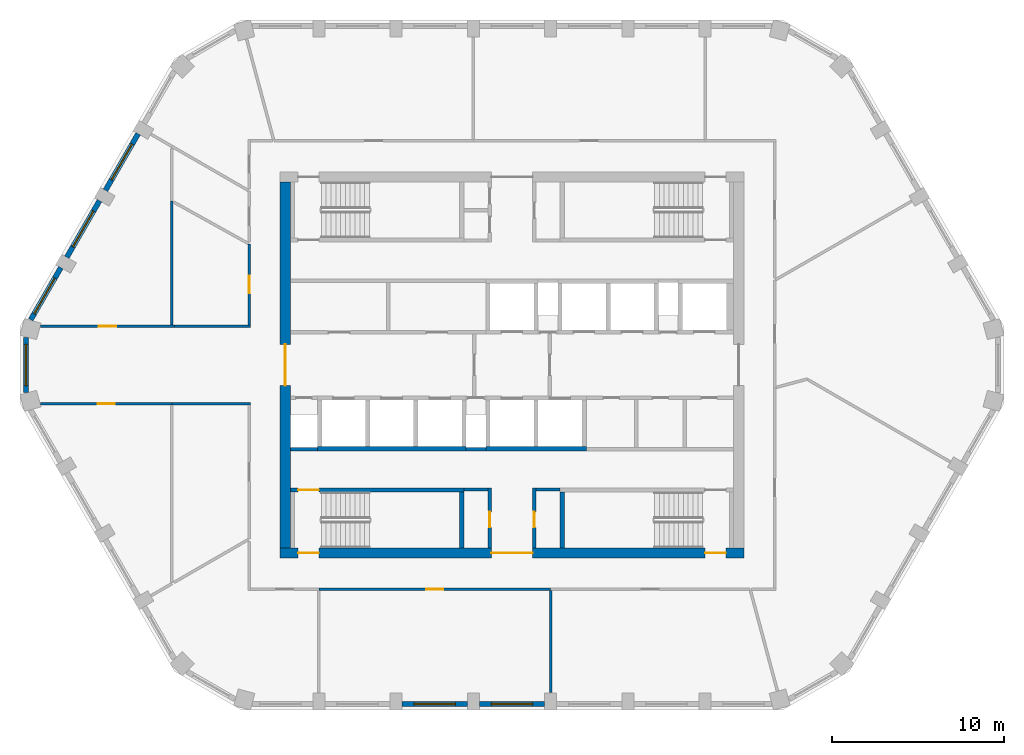
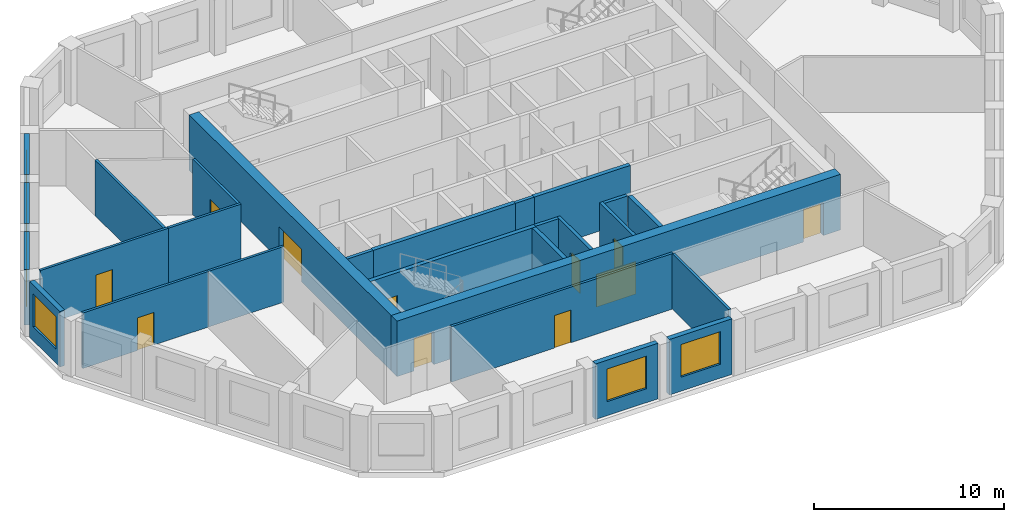
# One storey, part 2 of 7: 27 walls, 11 doors, 6 windows, 17 openings.
"""IFC4 building model written with IfcOpenShell, lengths in metres."""

from ifc_helpers import new_model, si_unit, direction, frame, frame_2d, origin, place, context, subcontext, project, spatial, polyline, rectangle, outline, extrude, material, layer, layer_set, type_object, element, fill, save


model = new_model("IFC4")

# Units and contexts
model_context = context("Model", 3, precision=1e-05, world=origin(), true_north=direction((0.0, 1.0)))
body_context = subcontext(model_context, "Body", "Model", "MODEL_VIEW")
ifc_project = project(units=[si_unit("LENGTHUNIT", "METRE"), si_unit("AREAUNIT", "SQUARE_METRE"), si_unit("VOLUMEUNIT", "CUBIC_METRE"), si_unit("PLANEANGLEUNIT", "RADIAN"), si_unit("MASSUNIT", "GRAM", prefix="KILO")], contexts=[model_context])

# Site, building, storey
site_placement = place(None, origin())
site = spatial("IfcSite", under=ifc_project, at=site_placement, CompositionType="ELEMENT")
building_placement = place(site_placement, origin())
building = spatial("IfcBuilding", under=site, at=building_placement, Name="Dhurran Vertical Campus", CompositionType="ELEMENT")
storey_placement = place(building_placement, frame((0.0, 0.0, 262.5)))
storey = spatial("IfcBuildingStorey", under=building, at=storey_placement, Name="L65", CompositionType="ELEMENT", Elevation=262.5)

# Wall, opening, window
ifc_material_1 = material(Name="Precast concrete C50/60", Category="concrete")
ifc_layer_1 = layer(ifc_material_1, 0.300048828125)
ifc_layer_set_1 = layer_set([ifc_layer_1], Name="Precast concrete C50/60")
wall_type_1 = type_object("IfcWallType", Name="Precast spandrel wall 300", PredefinedType="SOLIDWALL", material=ifc_layer_set_1)
wall_1_placement = place(storey_placement, frame((-6.3994140625, -19.738525390625, 0.0), z_axis=(0.0, 0.0, 1.0), x_axis=(1.0, 0.0, 0.0)))
wall_1 = element("IfcWall", 1, at=wall_1_placement, inside=storey, type_object=wall_type_1, Name="EW1 L65.02", PredefinedType="SOLIDWALL", context=body_context, shape_type="SweptSolid", body=[
    extrude(rectangle(XDim=3.798828125, YDim=0.300048828125, at=frame_2d((1.8994140625, 0.0))), origin(), (0.0, 0.0, 1.0), 3.574951171875),
])
opening_1_placement = place(wall_1_placement, frame((0.699462890625, 0.0, 0.89990234375)))
opening_1 = element("IfcOpeningElement", 2, at=opening_1_placement, cuts=wall_1, Name="Opening WT1", PredefinedType="OPENING", context=body_context, shape_type="SweptSolid", body=[
    extrude(rectangle(XDim=2.39990234375, YDim=2.10009765625, at=frame_2d((1.199951171875, 1.050048828125))), frame((0.0, 0.159912109375, 0.0), z_axis=(0.0, -1.0, 0.0), x_axis=(1.0, 0.0, 0.0)), (0.0, 0.0, 1.0), 0.320068359375),
])
ifc_material_2 = material(Name="Aluminium frame with solar-control glass", Category="aluminium")
window_type = type_object("IfcWindowType", Name="Punched window 2400 x 2100", PartitioningType="SINGLE_PANEL", PredefinedType="WINDOW", material=ifc_material_2)
window_1_placement = place(opening_1_placement, origin())
window_1 = element("IfcWindow", 3, at=window_1_placement, inside=storey, type_object=window_type, Name="WT1 L65.02", OverallHeight=2.10009765625, OverallWidth=2.39990234375, PartitioningType="SINGLE_PANEL", PredefinedType="WINDOW", context=body_context, shape_type="SweptSolid", body=[
    extrude(rectangle(XDim=2.39990234375, YDim=2.10009765625, at=frame_2d((1.199951171875, 1.050048828125))), frame((0.0, 0.030029296875, 0.0), z_axis=(0.0, -1.0, 0.0), x_axis=(1.0, 0.0, 0.0)), (0.0, 0.0, 1.0), 0.06005859375),
])
fill(opening_1, window_1)

wall_2_placement = place(storey_placement, frame((-1.8994140625, -19.738525390625, 0.0), z_axis=(0.0, 0.0, 1.0), x_axis=(1.0, 0.0, 0.0)))
wall_2 = element("IfcWall", 4, at=wall_2_placement, inside=storey, type_object=wall_type_1, Name="EW1 L65.03", PredefinedType="SOLIDWALL", context=body_context, shape_type="SweptSolid", body=[
    extrude(rectangle(XDim=3.798828125, YDim=0.300048828125, at=frame_2d((1.8994140625, 0.0))), origin(), (0.0, 0.0, 1.0), 3.574951171875),
])
opening_2_placement = place(wall_2_placement, frame((0.699462890625, 0.0, 0.89990234375)))
opening_2 = element("IfcOpeningElement", 5, at=opening_2_placement, cuts=wall_2, Name="Opening WT1", PredefinedType="OPENING", context=body_context, shape_type="SweptSolid", body=[
    extrude(rectangle(XDim=2.39990234375, YDim=2.10009765625, at=frame_2d((1.199951171875, 1.050048828125))), frame((0.0, 0.159912109375, 0.0), z_axis=(0.0, -1.0, 0.0), x_axis=(1.0, 0.0, 0.0)), (0.0, 0.0, 1.0), 0.320068359375),
])
window_2_placement = place(opening_2_placement, origin())
window_2 = element("IfcWindow", 6, at=window_2_placement, inside=storey, type_object=window_type, Name="WT1 L65.03", OverallHeight=2.10009765625, OverallWidth=2.39990234375, PartitioningType="SINGLE_PANEL", PredefinedType="WINDOW", context=body_context, shape_type="SweptSolid", body=[
    extrude(rectangle(XDim=2.39990234375, YDim=2.10009765625, at=frame_2d((1.199951171875, 1.050048828125))), frame((0.0, 0.030029296875, 0.0), z_axis=(0.0, -1.0, 0.0), x_axis=(1.0, 0.0, 0.0)), (0.0, 0.0, 1.0), 0.06005859375),
])
fill(opening_2, window_2)

wall_3_placement = place(storey_placement, frame((-21.769287109375, 13.462890625, 0.0), z_axis=(0.0, 0.0, 1.0), x_axis=(-0.499982058975, -0.866035761792, 0.0)))
wall_3 = element("IfcWall", 7, at=wall_3_placement, inside=storey, type_object=wall_type_1, Name="EW1 L65.27", PredefinedType="SOLIDWALL", context=body_context, shape_type="SweptSolid", body=[
    extrude(rectangle(XDim=3.799072265625, YDim=0.300048828125, at=frame_2d((1.8994140625, 0.0))), origin(), (0.0, 0.0, 1.0), 3.574951171875),
])
opening_3_placement = place(wall_3_placement, frame((0.699462890625, 0.0, 0.89990234375)))
opening_3 = element("IfcOpeningElement", 8, at=opening_3_placement, cuts=wall_3, Name="Opening WT1", PredefinedType="OPENING", context=body_context, shape_type="SweptSolid", body=[
    extrude(rectangle(XDim=2.39990234375, YDim=2.10009765625, at=frame_2d((1.199951171875, 1.050048828125))), frame((0.0, 0.159912109375, 0.0), z_axis=(0.0, -1.0, 0.0), x_axis=(1.0, 0.0, 0.0)), (0.0, 0.0, 1.0), 0.320068359375),
])
window_3_placement = place(opening_3_placement, origin())
window_3 = element("IfcWindow", 9, at=window_3_placement, inside=storey, type_object=window_type, Name="WT1 L65.27", OverallHeight=2.10009765625, OverallWidth=2.39990234375, PartitioningType="SINGLE_PANEL", PredefinedType="WINDOW", context=body_context, shape_type="SweptSolid", body=[
    extrude(rectangle(XDim=2.39990234375, YDim=2.10009765625, at=frame_2d((1.199951171875, 1.050048828125))), frame((0.0, 0.030029296875, 0.0), z_axis=(0.0, -1.0, 0.0), x_axis=(1.0, 0.0, 0.0)), (0.0, 0.0, 1.0), 0.06005859375),
])
fill(opening_3, window_3)

wall_4_placement = place(storey_placement, frame((-24.019287109375, 9.565673828125, 0.0), z_axis=(0.0, 0.0, 1.0), x_axis=(-0.499982058975, -0.866035761792, 0.0)))
wall_4 = element("IfcWall", 10, at=wall_4_placement, inside=storey, type_object=wall_type_1, Name="EW1 L65.28", PredefinedType="SOLIDWALL", context=body_context, shape_type="SweptSolid", body=[
    extrude(rectangle(XDim=3.799072265625, YDim=0.300048828125, at=frame_2d((1.8994140625, 0.0))), origin(), (0.0, 0.0, 1.0), 3.574951171875),
])
opening_4_placement = place(wall_4_placement, frame((0.699462890625, 0.0, 0.89990234375)))
opening_4 = element("IfcOpeningElement", 11, at=opening_4_placement, cuts=wall_4, Name="Opening WT1", PredefinedType="OPENING", context=body_context, shape_type="SweptSolid", body=[
    extrude(rectangle(XDim=2.39990234375, YDim=2.10009765625, at=frame_2d((1.199951171875, 1.050048828125))), frame((0.0, 0.159912109375, 0.0), z_axis=(0.0, -1.0, 0.0), x_axis=(1.0, 0.0, 0.0)), (0.0, 0.0, 1.0), 0.320068359375),
])
window_4_placement = place(opening_4_placement, origin())
window_4 = element("IfcWindow", 12, at=window_4_placement, inside=storey, type_object=window_type, Name="WT1 L65.28", OverallHeight=2.10009765625, OverallWidth=2.39990234375, PartitioningType="SINGLE_PANEL", PredefinedType="WINDOW", context=body_context, shape_type="SweptSolid", body=[
    extrude(rectangle(XDim=2.39990234375, YDim=2.10009765625, at=frame_2d((1.199951171875, 1.050048828125))), frame((0.0, 0.030029296875, 0.0), z_axis=(0.0, -1.0, 0.0), x_axis=(1.0, 0.0, 0.0)), (0.0, 0.0, 1.0), 0.06005859375),
])
fill(opening_4, window_4)

wall_5_placement = place(storey_placement, frame((-26.269287109375, 5.668701171875, 0.0), z_axis=(0.0, 0.0, 1.0), x_axis=(-0.499990325971, -0.866030989016, 0.0)))
wall_5 = element("IfcWall", 13, at=wall_5_placement, inside=storey, type_object=wall_type_1, Name="EW1 L65.29", PredefinedType="SOLIDWALL", context=body_context, shape_type="SweptSolid", body=[
    extrude(rectangle(XDim=3.49755859375, YDim=0.300048828125, at=frame_2d((1.748779296875, 0.0))), origin(), (0.0, 0.0, 1.0), 3.574951171875),
])
opening_5_placement = place(wall_5_placement, frame((0.699462890625, 0.0, 0.89990234375)))
opening_5 = element("IfcOpeningElement", 14, at=opening_5_placement, cuts=wall_5, Name="Opening WT1", PredefinedType="OPENING", context=body_context, shape_type="SweptSolid", body=[
    extrude(rectangle(XDim=2.39990234375, YDim=2.10009765625, at=frame_2d((1.199951171875, 1.050048828125))), frame((0.0, 0.159912109375, 0.0), z_axis=(0.0, -1.0, 0.0), x_axis=(1.0, 0.0, 0.0)), (0.0, 0.0, 1.0), 0.320068359375),
])
window_5_placement = place(opening_5_placement, origin())
window_5 = element("IfcWindow", 15, at=window_5_placement, inside=storey, type_object=window_type, Name="WT1 L65.29", OverallHeight=2.10009765625, OverallWidth=2.39990234375, PartitioningType="SINGLE_PANEL", PredefinedType="WINDOW", context=body_context, shape_type="SweptSolid", body=[
    extrude(rectangle(XDim=2.39990234375, YDim=2.10009765625, at=frame_2d((1.199951171875, 1.050048828125))), frame((0.0, 0.030029296875, 0.0), z_axis=(0.0, -1.0, 0.0), x_axis=(1.0, 0.0, 0.0)), (0.0, 0.0, 1.0), 0.06005859375),
])
fill(opening_5, window_5)

wall_6_placement = place(storey_placement, frame((-28.297119140625, 1.59814453125, 0.0), z_axis=(0.0, 0.0, 1.0), x_axis=(0.0, -1.0, 0.0)))
wall_6 = element("IfcWall", 16, at=wall_6_placement, inside=storey, type_object=wall_type_1, Name="EW1 L65.30", PredefinedType="SOLIDWALL", context=body_context, shape_type="SweptSolid", body=[
    extrude(rectangle(XDim=3.1962890625, YDim=0.300048828125, at=frame_2d((1.59814453125, 0.0))), origin(), (0.0, 0.0, 1.0), 3.574951171875),
])
opening_6_placement = place(wall_6_placement, frame((0.398193359375, 0.0, 0.89990234375)))
opening_6 = element("IfcOpeningElement", 17, at=opening_6_placement, cuts=wall_6, Name="Opening WT1", PredefinedType="OPENING", context=body_context, shape_type="SweptSolid", body=[
    extrude(rectangle(XDim=2.39990234375, YDim=2.10009765625, at=frame_2d((1.199951171875, 1.050048828125))), frame((0.0, 0.159912109375, 0.0), z_axis=(0.0, -1.0, 0.0), x_axis=(1.0, 0.0, 0.0)), (0.0, 0.0, 1.0), 0.320068359375),
])
window_6_placement = place(opening_6_placement, origin())
window_6 = element("IfcWindow", 18, at=window_6_placement, inside=storey, type_object=window_type, Name="WT1 L65.30", OverallHeight=2.10009765625, OverallWidth=2.39990234375, PartitioningType="SINGLE_PANEL", PredefinedType="WINDOW", context=body_context, shape_type="SweptSolid", body=[
    extrude(rectangle(XDim=2.39990234375, YDim=2.10009765625, at=frame_2d((1.199951171875, 1.050048828125))), frame((0.0, 0.030029296875, 0.0), z_axis=(0.0, -1.0, 0.0), x_axis=(1.0, 0.0, 0.0)), (0.0, 0.0, 1.0), 0.06005859375),
])
fill(opening_6, window_6)

# Wall, openings, doors
ifc_material_3 = material(Name="Concrete C50/60", Category="concrete")
ifc_layer_2 = layer(ifc_material_3, 0.60009765625)
ifc_layer_set_2 = layer_set([ifc_layer_2], Name="Concrete C50/60")
wall_type_2 = type_object("IfcWallType", Name="co-CORE-WALL-C2-600", PredefinedType="SHEAR", material=ifc_layer_set_2)
wall_7_placement = place(storey_placement, frame((-13.5, -10.949951171875, 0.0), z_axis=(0.0, 0.0, 1.0), x_axis=(1.0, 0.0, 0.0)))
wall_7 = element("IfcWall", 19, at=wall_7_placement, inside=storey, type_object=wall_type_2, Name="Core wall S L65", PredefinedType="SHEAR", context=body_context, shape_type="SweptSolid", body=[
    extrude(rectangle(XDim=27.0, YDim=0.60009765625, at=frame_2d((13.5, 0.0))), origin(), (0.0, 0.0, 1.0), 3.574951171875),
])
opening_7_placement = place(wall_7_placement, frame((12.300048828125, 0.0, 0.0)))
opening_7 = element("IfcOpeningElement", 20, at=opening_7_placement, cuts=wall_7, Name="Opening CV2", PredefinedType="OPENING", context=body_context, shape_type="SweptSolid", body=[
    extrude(rectangle(XDim=2.39990234375, YDim=2.10009765625, at=frame_2d((1.199951171875, 1.050048828125))), frame((0.0, 0.31005859375, 0.0), z_axis=(0.0, -1.0, 0.0), x_axis=(1.0, 0.0, 0.0)), (0.0, 0.0, 1.0), 0.6201171875),
])
opening_8_placement = place(wall_7_placement, frame((1.050048828125, 0.0, 0.0)))
opening_8 = element("IfcOpeningElement", 21, at=opening_8_placement, cuts=wall_7, Name="Opening XD3", PredefinedType="OPENING", context=body_context, shape_type="SweptSolid", body=[
    extrude(rectangle(XDim=1.199951171875, YDim=2.10009765625, at=frame_2d((0.60009765625, 1.050048828125))), frame((0.0, 0.31005859375, 0.0), z_axis=(0.0, -1.0, 0.0), x_axis=(1.0, 0.0, 0.0)), (0.0, 0.0, 1.0), 0.6201171875),
])
opening_9_placement = place(wall_7_placement, frame((24.75, 0.0, 0.0)))
opening_9 = element("IfcOpeningElement", 22, at=opening_9_placement, cuts=wall_7, Name="Opening XD4", PredefinedType="OPENING", context=body_context, shape_type="SweptSolid", body=[
    extrude(rectangle(XDim=1.199951171875, YDim=2.10009765625, at=frame_2d((0.60009765625, 1.050048828125))), frame((0.0, 0.31005859375, 0.0), z_axis=(0.0, -1.0, 0.0), x_axis=(1.0, 0.0, 0.0)), (0.0, 0.0, 1.0), 0.6201171875),
])
ifc_material_4 = material(Name="Fire-rated glazed door set")
door_type_1 = type_object("IfcDoorType", Name="co-D-LOBBY 2400x2100", OperationType="DOUBLE_DOOR_DOUBLE_SWING", PredefinedType="DOOR", material=ifc_material_4)
door_1_placement = place(opening_7_placement, origin())
door_1 = element("IfcDoor", 23, at=door_1_placement, inside=storey, type_object=door_type_1, Name="Core vestibule door S L65", OperationType="DOUBLE_DOOR_DOUBLE_SWING", OverallHeight=2.10009765625, OverallWidth=2.39990234375, PredefinedType="DOOR", context=body_context, shape_type="SweptSolid", body=[
    extrude(rectangle(XDim=2.39990234375, YDim=2.10009765625, at=frame_2d((1.199951171875, 1.050048828125))), frame((0.0, 0.02490234375, 0.0), z_axis=(0.0, -1.0, 0.0), x_axis=(1.0, 0.0, 0.0)), (0.0, 0.0, 1.0), 0.050048828125),
])
fill(opening_7, door_1)
ifc_material_5 = material(Name="Fire-rated steel door set", Category="steel")
door_type_2 = type_object("IfcDoorType", Name="co-D-STAIR-EXIT 1200x2100", OperationType="SINGLE_SWING_RIGHT", PredefinedType="DOOR", material=ifc_material_5)
door_2_placement = place(opening_8_placement, origin())
door_2 = element("IfcDoor", 24, at=door_2_placement, inside=storey, type_object=door_type_2, Name="Stair ST3 exit door L65", OperationType="SINGLE_SWING_RIGHT", OverallHeight=2.10009765625, OverallWidth=1.199951171875, PredefinedType="DOOR", context=body_context, shape_type="SweptSolid", body=[
    extrude(rectangle(XDim=1.199951171875, YDim=2.10009765625, at=frame_2d((0.60009765625, 1.050048828125))), frame((0.0, 0.02490234375, 0.0), z_axis=(0.0, -1.0, 0.0), x_axis=(1.0, 0.0, 0.0)), (0.0, 0.0, 1.0), 0.050048828125),
])
fill(opening_8, door_2)
door_3_placement = place(opening_9_placement, origin())
door_3 = element("IfcDoor", 25, at=door_3_placement, inside=storey, type_object=door_type_2, Name="Stair ST4 exit door L65", OperationType="SINGLE_SWING_RIGHT", OverallHeight=2.10009765625, OverallWidth=1.199951171875, PredefinedType="DOOR", context=body_context, shape_type="SweptSolid", body=[
    extrude(rectangle(XDim=1.199951171875, YDim=2.10009765625, at=frame_2d((0.60009765625, 1.050048828125))), frame((0.0, 0.02490234375, 0.0), z_axis=(0.0, -1.0, 0.0), x_axis=(1.0, 0.0, 0.0)), (0.0, 0.0, 1.0), 0.050048828125),
])
fill(opening_9, door_3)

# Wall, opening, door
wall_8_placement = place(storey_placement, frame((-13.199951171875, -10.64990234375, 0.0), z_axis=(0.0, 0.0, 1.0), x_axis=(0.0, 1.0, 0.0)))
wall_8 = element("IfcWall", 26, at=wall_8_placement, inside=storey, type_object=wall_type_2, Name="Core wall W L65", PredefinedType="SHEAR", context=body_context, shape_type="SweptSolid", body=[
    extrude(rectangle(XDim=21.2998046875, YDim=0.60009765625, at=frame_2d((10.64990234375, 0.0))), origin(), (0.0, 0.0, 1.0), 3.574951171875),
])
opening_10_placement = place(wall_8_placement, frame((9.449951171875, 0.0, 0.0)))
opening_10 = element("IfcOpeningElement", 27, at=opening_10_placement, cuts=wall_8, Name="Opening CL1", PredefinedType="OPENING", context=body_context, shape_type="SweptSolid", body=[
    extrude(rectangle(XDim=2.39990234375, YDim=2.10009765625, at=frame_2d((1.199951171875, 1.050048828125))), frame((0.0, 0.31005859375, 0.0), z_axis=(0.0, -1.0, 0.0), x_axis=(1.0, 0.0, 0.0)), (0.0, 0.0, 1.0), 0.6201171875),
])
door_4_placement = place(opening_10_placement, origin())
door_4 = element("IfcDoor", 28, at=door_4_placement, inside=storey, type_object=door_type_1, Name="Lift lobby door W L65", OperationType="DOUBLE_DOOR_DOUBLE_SWING", OverallHeight=2.10009765625, OverallWidth=2.39990234375, PredefinedType="DOOR", context=body_context, shape_type="SweptSolid", body=[
    extrude(rectangle(XDim=2.39990234375, YDim=2.10009765625, at=frame_2d((1.199951171875, 1.050048828125))), frame((0.0, 0.02490234375, 0.0), z_axis=(0.0, -1.0, 0.0), x_axis=(1.0, 0.0, 0.0)), (0.0, 0.0, 1.0), 0.050048828125),
])
fill(opening_10, door_4)

# Walls
ifc_material_6 = material(Name="Fire-rated masonry blockwork", Category="masonry")
ifc_layer_3 = layer(ifc_material_6, 0.199951171875)
ifc_layer_set_3 = layer_set([ifc_layer_3], Name="Fire-rated masonry blockwork")
wall_type_3 = type_object("IfcWallType", Name="co-FIRE-PARTITION-200", PredefinedType="PARTITIONING", material=ifc_layer_set_3)
for number, where, z_axis, x_axis, name in (
    (29, (-2.800048828125, -7.25, 0.0), (0.0, 0.0, 1.0), (1.0, 0.0, 0.0), "Core partition sl-SW-S L65"),
    (30, (1.39990234375, -7.25, 0.0), (0.0, 0.0, 1.0), (1.0, 0.0, 0.0), "Core partition sl-SE-S L65"),
):
    element("IfcWall", number, at=place(storey_placement, frame(where, z_axis=z_axis, x_axis=x_axis)), inside=storey, type_object=wall_type_3, Name=name, PredefinedType="PARTITIONING", context=body_context, shape_type="SweptSolid", body=[
        extrude(rectangle(XDim=1.400146484375, YDim=0.199951171875, at=frame_2d((0.7001953125, 0.0))), origin(), (0.0, 0.0, 1.0), 3.574951171875),
    ])

# Wall, opening, door
wall_9_placement = place(storey_placement, frame((-1.300048828125, -10.64990234375, 0.0), z_axis=(0.0, 0.0, 1.0), x_axis=(0.0, 1.0, 0.0)))
wall_9 = element("IfcWall", 31, at=wall_9_placement, inside=storey, type_object=wall_type_3, Name="Core partition vest-SW L65", PredefinedType="PARTITIONING", context=body_context, shape_type="SweptSolid", body=[
    extrude(rectangle(XDim=3.5, YDim=0.199951171875, at=frame_2d((1.75, 0.0))), origin(), (0.0, 0.0, 1.0), 3.574951171875),
])
opening_11_placement = place(wall_9_placement, frame((1.199951171875, 0.0, 0.0)))
opening_11 = element("IfcOpeningElement", 32, at=opening_11_placement, cuts=wall_9, Name="Opening T19-C1", PredefinedType="OPENING", context=body_context, shape_type="SweptSolid", body=[
    extrude(rectangle(XDim=0.89990234375, YDim=2.10009765625, at=frame_2d((0.449951171875, 1.050048828125))), frame((0.0, 0.10986328125, 0.0), z_axis=(0.0, -1.0, 0.0), x_axis=(1.0, 0.0, 0.0)), (0.0, 0.0, 1.0), 0.219970703125),
])
ifc_material_7 = material(Name="Fire-rated timber door set", Category="wood")
door_type_3 = type_object("IfcDoorType", Name="co-D-ROOM 900x2100", OperationType="SINGLE_SWING_LEFT", PredefinedType="DOOR", material=ifc_material_7)
door_5_placement = place(opening_11_placement, origin())
door_5 = element("IfcDoor", 33, at=door_5_placement, inside=storey, type_object=door_type_3, Name="Cleaner's store door L65", OperationType="SINGLE_SWING_LEFT", OverallHeight=2.10009765625, OverallWidth=0.89990234375, PredefinedType="DOOR", context=body_context, shape_type="SweptSolid", body=[
    extrude(rectangle(XDim=0.89990234375, YDim=2.10009765625, at=frame_2d((0.449951171875, 1.050048828125))), frame((0.0, 0.02490234375, 0.0), z_axis=(0.0, -1.0, 0.0), x_axis=(1.0, 0.0, 0.0)), (0.0, 0.0, 1.0), 0.050048828125),
])
fill(opening_11, door_5)

wall_10_placement = place(storey_placement, frame((1.300048828125, -10.64990234375, 0.0), z_axis=(0.0, 0.0, 1.0), x_axis=(0.0, 1.0, 0.0)))
wall_10 = element("IfcWall", 34, at=wall_10_placement, inside=storey, type_object=wall_type_3, Name="Core partition vest-SE L65", PredefinedType="PARTITIONING", context=body_context, shape_type="SweptSolid", body=[
    extrude(rectangle(XDim=3.5, YDim=0.199951171875, at=frame_2d((1.75, 0.0))), origin(), (0.0, 0.0, 1.0), 3.574951171875),
])
opening_12_placement = place(wall_10_placement, frame((1.199951171875, 0.0, 0.0)))
opening_12 = element("IfcOpeningElement", 35, at=opening_12_placement, cuts=wall_10, Name="Opening T19-C2", PredefinedType="OPENING", context=body_context, shape_type="SweptSolid", body=[
    extrude(rectangle(XDim=0.89990234375, YDim=2.10009765625, at=frame_2d((0.449951171875, 1.050048828125))), frame((0.0, 0.10986328125, 0.0), z_axis=(0.0, -1.0, 0.0), x_axis=(1.0, 0.0, 0.0)), (0.0, 0.0, 1.0), 0.219970703125),
])
door_6_placement = place(opening_12_placement, origin())
door_6 = element("IfcDoor", 36, at=door_6_placement, inside=storey, type_object=door_type_3, Name="Communications room door L65", OperationType="SINGLE_SWING_LEFT", OverallHeight=2.10009765625, OverallWidth=0.89990234375, PredefinedType="DOOR", context=body_context, shape_type="SweptSolid", body=[
    extrude(rectangle(XDim=0.89990234375, YDim=2.10009765625, at=frame_2d((0.449951171875, 1.050048828125))), frame((0.0, 0.02490234375, 0.0), z_axis=(0.0, -1.0, 0.0), x_axis=(1.0, 0.0, 0.0)), (0.0, 0.0, 1.0), 0.050048828125),
])
fill(opening_12, door_6)

# Walls
wall_11_placement = place(storey_placement, frame((-12.89990234375, -4.89990234375, 0.0), z_axis=(0.0, 0.0, 1.0), x_axis=(1.0, 0.0, 0.0)))
element("IfcWall", 37, at=wall_11_placement, inside=storey, type_object=wall_type_3, Name="Core partition fr-S0-b L65", PredefinedType="PARTITIONING", context=body_context, shape_type="SweptSolid", body=[
    extrude(rectangle(XDim=1.574951171875, YDim=0.199951171875, at=frame_2d((0.78759765625, 0.0))), origin(), (0.0, 0.0, 1.0), 3.574951171875),
])
wall_12_placement = place(storey_placement, frame((-2.675048828125, -4.89990234375, 0.0), z_axis=(0.0, 0.0, 1.0), x_axis=(1.0, 0.0, 0.0)))
element("IfcWall", 38, at=wall_12_placement, inside=storey, type_object=wall_type_3, Name="Core partition fr-S1-b L65", PredefinedType="PARTITIONING", context=body_context, shape_type="SweptSolid", body=[
    extrude(rectangle(XDim=1.150146484375, YDim=0.199951171875, at=frame_2d((0.5751953125, 0.0))), origin(), (0.0, 0.0, 1.0), 3.574951171875),
])
ifc_material_8 = material(Name="Concrete C50/60", Category="concrete")
ifc_layer_4 = layer(ifc_material_8, 0.25)
ifc_layer_set_4 = layer_set([ifc_layer_4], Name="Concrete C50/60")
wall_type_4 = type_object("IfcWallType", Name="co-SHAFT-MASS-250", PredefinedType="SHEAR", material=ifc_layer_set_4)
wall_13_placement = place(storey_placement, origin())
element("IfcWall", 39, at=wall_13_placement, inside=storey, type_object=wall_type_4, Name="Lift shaft wall S L65 1", PredefinedType="SHEAR", context=body_context, shape_type="SweptSolid", body=[
    extrude(outline(polyline([(-11.324951171875, -5.0), (-2.675048828125, -5.0), (-2.675048828125, -4.75), (-11.324951171875, -4.75), (-11.324951171875, -5.0)])), origin(), (0.0, 0.0, 1.0), 3.574951171875),
])
wall_14_placement = place(storey_placement, origin())
element("IfcWall", 40, at=wall_14_placement, inside=storey, type_object=wall_type_4, Name="Lift shaft wall S L65 2", PredefinedType="SHEAR", context=body_context, shape_type="SweptSolid", body=[
    extrude(outline(polyline([(-1.52490234375, -5.0), (4.324951171875, -5.0), (4.324951171875, -4.75), (-1.52490234375, -4.75), (-1.52490234375, -5.0)])), origin(), (0.0, 0.0, 1.0), 3.574951171875),
])

# Wall, opening, door
ifc_material_9 = material(Name="Concrete C40/50", Category="concrete")
ifc_layer_5 = layer(ifc_material_9, 0.25)
ifc_layer_set_5 = layer_set([ifc_layer_5], Name="Concrete C40/50")
wall_type_5 = type_object("IfcWallType", Name="co-STAIR-WALL-250", PredefinedType="SHEAR", material=ifc_layer_set_5)
wall_15_placement = place(storey_placement, frame((-12.89990234375, -7.27490234375, 0.0), z_axis=(0.0, 0.0, 1.0), x_axis=(1.0, 0.0, 0.0)))
wall_15 = element("IfcWall", 41, at=wall_15_placement, inside=storey, type_object=wall_type_5, Name="Stair ST3 enclosure wall L65", PredefinedType="SHEAR", context=body_context, shape_type="SweptSolid", body=[
    extrude(rectangle(XDim=10.099853515625, YDim=0.25, at=frame_2d((5.0498046875, 0.0))), origin(), (0.0, 0.0, 1.0), 3.574951171875),
])
opening_13_placement = place(wall_15_placement, frame((0.449951171875, 0.0, 0.0)))
opening_13 = element("IfcOpeningElement", 42, at=opening_13_placement, cuts=wall_15, Name="Opening SD3", PredefinedType="OPENING", context=body_context, shape_type="SweptSolid", body=[
    extrude(rectangle(XDim=1.199951171875, YDim=2.10009765625, at=frame_2d((0.60009765625, 1.050048828125))), frame((0.0, 0.135009765625, 0.0), z_axis=(0.0, -1.0, 0.0), x_axis=(1.0, 0.0, 0.0)), (0.0, 0.0, 1.0), 0.27001953125),
])
ifc_material_10 = material(Name="Fire-rated steel door set", Category="steel")
door_type_4 = type_object("IfcDoorType", Name="co-D-STAIR 1200x2100", OperationType="SINGLE_SWING_LEFT", PredefinedType="DOOR", material=ifc_material_10)
door_7_placement = place(opening_13_placement, origin())
door_7 = element("IfcDoor", 43, at=door_7_placement, inside=storey, type_object=door_type_4, Name="Stair ST3 door L65", OperationType="SINGLE_SWING_LEFT", OverallHeight=2.10009765625, OverallWidth=1.199951171875, PredefinedType="DOOR", context=body_context, shape_type="SweptSolid", body=[
    extrude(rectangle(XDim=1.199951171875, YDim=2.10009765625, at=frame_2d((0.60009765625, 1.050048828125))), frame((0.0, 0.02490234375, 0.0), z_axis=(0.0, -1.0, 0.0), x_axis=(1.0, 0.0, 0.0)), (0.0, 0.0, 1.0), 0.050048828125),
])
fill(opening_13, door_7)

# Walls
for number, where, z_axis, x_axis, name in (
    (44, (-2.925048828125, -10.64990234375, 0.0), (0.0, 0.0, 1.0), (0.0, 1.0, 0.0), "Stair ST3 enclosure wall L65"),
    (45, (2.925048828125, -10.64990234375, 0.0), (0.0, 0.0, 1.0), (0.0, 1.0, 0.0), "Stair ST4 enclosure wall L65"),
):
    element("IfcWall", number, at=place(storey_placement, frame(where, z_axis=z_axis, x_axis=x_axis)), inside=storey, type_object=wall_type_5, Name=name, PredefinedType="SHEAR", context=body_context, shape_type="SweptSolid", body=[
        extrude(rectangle(XDim=3.25, YDim=0.25, at=frame_2d((1.625, 0.0))), origin(), (0.0, 0.0, 1.0), 3.574951171875),
    ])

# Wall, opening, door
ifc_material_11 = material(Name="Gypsum board corridor wall on steel studs", Category="steel")
ifc_layer_6 = layer(ifc_material_11, 0.14990234375)
ifc_layer_set_6 = layer_set([ifc_layer_6], Name="Gypsum board corridor wall on steel studs")
wall_type_6 = type_object("IfcWallType", Name="fl-CW-150 corridor wall", PredefinedType="PARTITIONING", material=ifc_layer_set_6)
wall_16_placement = place(storey_placement, frame((-19.800048828125, -2.25, 0.0), z_axis=(0.0, 0.0, 1.0), x_axis=(-1.0, 0.0, 0.0)))
wall_16 = element("IfcWall", 46, at=wall_16_placement, inside=storey, type_object=wall_type_6, Name="Partition 65-01", PredefinedType="PARTITIONING", context=body_context, shape_type="SweptSolid", body=[
    extrude(rectangle(XDim=7.65234375, YDim=0.14990234375, at=frame_2d((3.826171875, 0.0))), origin(), (0.0, 0.0, 1.0), 3.574951171875),
])
opening_14_placement = place(wall_16_placement, frame((3.326171875, 0.0, 0.0)))
opening_14 = element("IfcOpeningElement", 47, at=opening_14_placement, cuts=wall_16, Name="Opening T19.01", PredefinedType="OPENING", context=body_context, shape_type="SweptSolid", body=[
    extrude(rectangle(XDim=1.0, YDim=2.10009765625, at=frame_2d((0.5, 1.050048828125))), frame((0.0, 0.0849609375, 0.0), z_axis=(0.0, -1.0, 0.0), x_axis=(1.0, 0.0, 0.0)), (0.0, 0.0, 1.0), 0.169921875),
])
ifc_material_12 = material(Name="Solid-core timber door set, fire-rated", Category="wood")
door_type_5 = type_object("IfcDoorType", Name="fl-D-1000x2100", OperationType="SINGLE_SWING_LEFT", PredefinedType="DOOR", material=ifc_material_12)
door_8_placement = place(opening_14_placement, origin())
door_8 = element("IfcDoor", 48, at=door_8_placement, inside=storey, type_object=door_type_5, Name="Door 65.01", OperationType="SINGLE_SWING_RIGHT", OverallHeight=2.10009765625, OverallWidth=1.0, PredefinedType="DOOR", context=body_context, shape_type="SweptSolid", body=[
    extrude(rectangle(XDim=1.0, YDim=2.10009765625, at=frame_2d((0.5, 1.050048828125))), frame((0.0, 0.02490234375, 0.0), z_axis=(0.0, -1.0, 0.0), x_axis=(1.0, 0.0, 0.0)), (0.0, 0.0, 1.0), 0.050048828125),
])
fill(opening_14, door_8)

wall_17_placement = place(storey_placement, frame((-27.452392578125, 2.25, 0.0), z_axis=(0.0, 0.0, 1.0), x_axis=(1.0, 0.0, 0.0)))
wall_17 = element("IfcWall", 49, at=wall_17_placement, inside=storey, type_object=wall_type_6, Name="Partition 65-02", PredefinedType="PARTITIONING", context=body_context, shape_type="SweptSolid", body=[
    extrude(rectangle(XDim=7.805419921875, YDim=0.14990234375, at=frame_2d((3.90283203125, 0.0))), origin(), (0.0, 0.0, 1.0), 3.574951171875),
])
opening_15_placement = place(wall_17_placement, frame((3.402587890625, 0.0, 0.0)))
opening_15 = element("IfcOpeningElement", 50, at=opening_15_placement, cuts=wall_17, Name="Opening T19.02", PredefinedType="OPENING", context=body_context, shape_type="SweptSolid", body=[
    extrude(rectangle(XDim=1.0, YDim=2.10009765625, at=frame_2d((0.5, 1.050048828125))), frame((0.0, 0.0849609375, 0.0), z_axis=(0.0, -1.0, 0.0), x_axis=(1.0, 0.0, 0.0)), (0.0, 0.0, 1.0), 0.169921875),
])
door_9_placement = place(opening_15_placement, origin())
door_9 = element("IfcDoor", 51, at=door_9_placement, inside=storey, type_object=door_type_5, Name="Door 65.02", OperationType="SINGLE_SWING_RIGHT", OverallHeight=2.10009765625, OverallWidth=1.0, PredefinedType="DOOR", context=body_context, shape_type="SweptSolid", body=[
    extrude(rectangle(XDim=1.0, YDim=2.10009765625, at=frame_2d((0.5, 1.050048828125))), frame((0.0, 0.02490234375, 0.0), z_axis=(0.0, -1.0, 0.0), x_axis=(1.0, 0.0, 0.0)), (0.0, 0.0, 1.0), 0.050048828125),
])
fill(opening_15, door_9)

# Walls
wall_18_placement = place(storey_placement, frame((-15.22509765625, -2.25, 0.0), z_axis=(0.0, 0.0, 1.0), x_axis=(-1.0, 0.0, 0.0)))
element("IfcWall", 52, at=wall_18_placement, inside=storey, type_object=wall_type_6, Name="Partition 65-07", PredefinedType="PARTITIONING", context=body_context, shape_type="SweptSolid", body=[
    extrude(rectangle(XDim=4.574951171875, YDim=0.14990234375, at=frame_2d((2.28759765625, 0.0))), origin(), (0.0, 0.0, 1.0), 3.574951171875),
])
wall_19_placement = place(storey_placement, frame((-19.64697265625, 2.25, 0.0), z_axis=(0.0, 0.0, 1.0), x_axis=(1.0, 0.0, 0.0)))
element("IfcWall", 53, at=wall_19_placement, inside=storey, type_object=wall_type_6, Name="Partition 65-12", PredefinedType="PARTITIONING", context=body_context, shape_type="SweptSolid", body=[
    extrude(rectangle(XDim=4.421875, YDim=0.14990234375, at=frame_2d((2.2109375, 0.0))), origin(), (0.0, 0.0, 1.0), 3.574951171875),
])

# Wall, opening, door
wall_20_placement = place(storey_placement, frame((-15.300048828125, 7.0439453125, 0.0), z_axis=(0.0, 0.0, 1.0), x_axis=(0.0, -1.0, 0.0)))
wall_20 = element("IfcWall", 54, at=wall_20_placement, inside=storey, type_object=wall_type_6, Name="Partition 65-17", PredefinedType="PARTITIONING", context=body_context, shape_type="SweptSolid", body=[
    extrude(rectangle(XDim=4.718994140625, YDim=0.14990234375, at=frame_2d((2.359375, 0.0))), origin(), (0.0, 0.0, 1.0), 3.574951171875),
])
opening_16_placement = place(wall_20_placement, frame((1.859619140625, 0.0, 0.0)))
opening_16 = element("IfcOpeningElement", 55, at=opening_16_placement, cuts=wall_20, Name="Opening T19.03", PredefinedType="OPENING", context=body_context, shape_type="SweptSolid", body=[
    extrude(rectangle(XDim=1.0, YDim=2.10009765625, at=frame_2d((0.5, 1.050048828125))), frame((0.0, 0.0849609375, 0.0), z_axis=(0.0, -1.0, 0.0), x_axis=(1.0, 0.0, 0.0)), (0.0, 0.0, 1.0), 0.169921875),
])
door_10_placement = place(opening_16_placement, origin())
door_10 = element("IfcDoor", 56, at=door_10_placement, inside=storey, type_object=door_type_5, Name="Door 65.03", OperationType="SINGLE_SWING_LEFT", OverallHeight=2.10009765625, OverallWidth=1.0, PredefinedType="DOOR", context=body_context, shape_type="SweptSolid", body=[
    extrude(rectangle(XDim=1.0, YDim=2.10009765625, at=frame_2d((0.5, 1.050048828125))), frame((0.0, 0.02490234375, 0.0), z_axis=(0.0, -1.0, 0.0), x_axis=(1.0, 0.0, 0.0)), (0.0, 0.0, 1.0), 0.050048828125),
])
fill(opening_16, door_10)

wall_21_placement = place(storey_placement, frame((-11.25, -13.050048828125, 0.0), z_axis=(0.0, 0.0, 1.0), x_axis=(1.0, 0.0, 0.0)))
wall_21 = element("IfcWall", 57, at=wall_21_placement, inside=storey, type_object=wall_type_6, Name="Partition 65-23", PredefinedType="PARTITIONING", context=body_context, shape_type="SweptSolid", body=[
    extrude(rectangle(XDim=13.5, YDim=0.14990234375, at=frame_2d((6.75, 0.0))), origin(), (0.0, 0.0, 1.0), 3.574951171875),
])
opening_17_placement = place(wall_21_placement, frame((6.25, 0.0, 0.0)))
opening_17 = element("IfcOpeningElement", 58, at=opening_17_placement, cuts=wall_21, Name="Opening T19.09", PredefinedType="OPENING", context=body_context, shape_type="SweptSolid", body=[
    extrude(rectangle(XDim=1.0, YDim=2.10009765625, at=frame_2d((0.5, 1.050048828125))), frame((0.0, 0.0849609375, 0.0), z_axis=(0.0, -1.0, 0.0), x_axis=(1.0, 0.0, 0.0)), (0.0, 0.0, 1.0), 0.169921875),
])
door_11_placement = place(opening_17_placement, origin())
door_11 = element("IfcDoor", 59, at=door_11_placement, inside=storey, type_object=door_type_5, Name="Door 65.09", OperationType="SINGLE_SWING_RIGHT", OverallHeight=2.10009765625, OverallWidth=1.0, PredefinedType="DOOR", context=body_context, shape_type="SweptSolid", body=[
    extrude(rectangle(XDim=1.0, YDim=2.10009765625, at=frame_2d((0.5, 1.050048828125))), frame((0.0, 0.02490234375, 0.0), z_axis=(0.0, -1.0, 0.0), x_axis=(1.0, 0.0, 0.0)), (0.0, 0.0, 1.0), 0.050048828125),
])
fill(opening_17, door_11)

# Walls
ifc_material_13 = material(Name="Gypsum board partition on steel studs", Category="steel")
ifc_layer_7 = layer(ifc_material_13, 0.14990234375)
ifc_layer_set_7 = layer_set([ifc_layer_7], Name="Gypsum board partition on steel studs")
wall_type_7 = type_object("IfcWallType", Name="fl-PW-150 fixed partition", PredefinedType="PARTITIONING", material=ifc_layer_set_7)
wall_22_placement = place(storey_placement, frame((-19.800048828125, 9.54296875, 0.0), z_axis=(0.0, 0.0, 1.0), x_axis=(0.0, -1.0, 0.0)))
element("IfcWall", 60, at=wall_22_placement, inside=storey, type_object=wall_type_7, Name="Partition 65-08", PredefinedType="PARTITIONING", context=body_context, shape_type="SweptSolid", body=[
    extrude(rectangle(XDim=7.215087890625, YDim=0.14990234375, at=frame_2d((3.607421875, 0.0))), origin(), (0.0, 0.0, 1.0), 3.574951171875),
])
wall_23_placement = place(storey_placement, frame((2.25, -13.125, 0.0), z_axis=(0.0, 0.0, 1.0), x_axis=(0.0, -1.0, 0.0)))
element("IfcWall", 61, at=wall_23_placement, inside=storey, type_object=wall_type_7, Name="Partition 65-26", PredefinedType="PARTITIONING", context=body_context, shape_type="SweptSolid", body=[
    extrude(rectangle(XDim=5.943603515625, YDim=0.14990234375, at=frame_2d((2.9716796875, 0.0))), origin(), (0.0, 0.0, 1.0), 3.574951171875),
])

save(model, "model.ifc")
